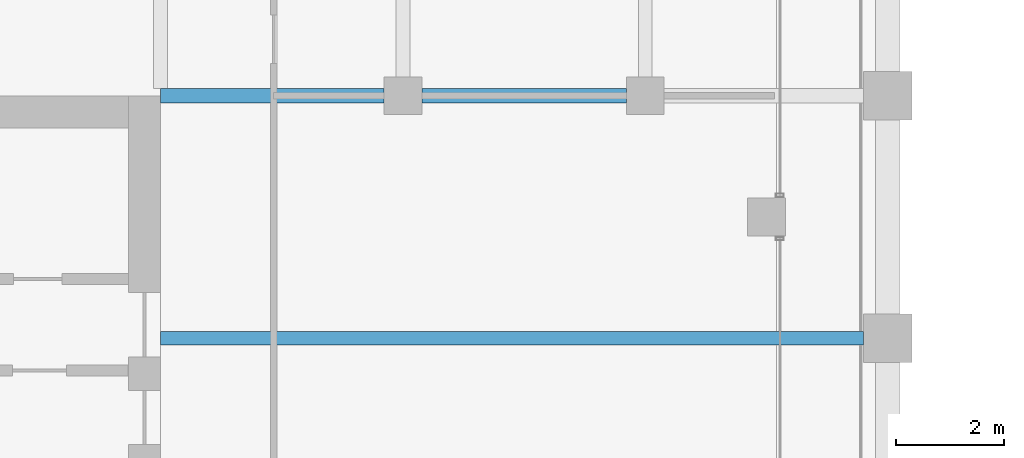
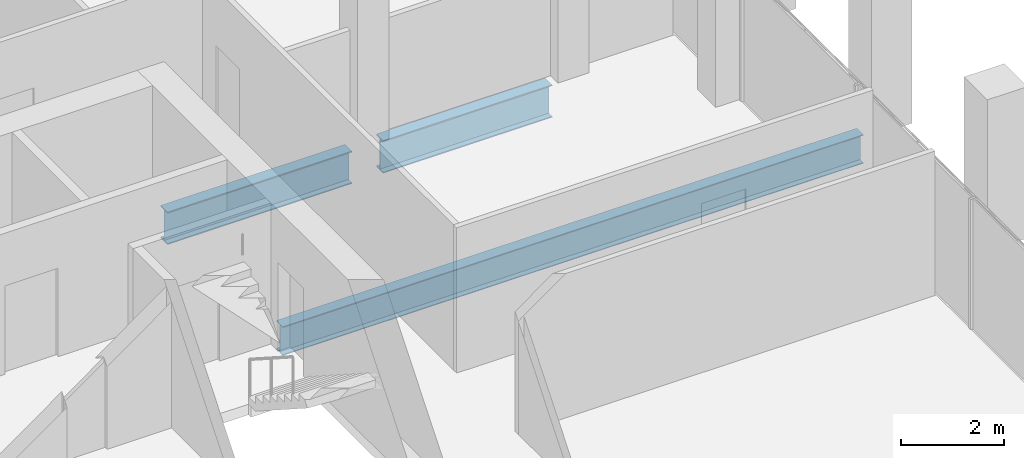
# One storey, part 18 of 40: 3 beams.
"""IFC4 building model written with IfcOpenShell, lengths in metres."""

from ifc_helpers import new_model, si_unit, direction, frame, origin, origin_2d, place, context, subcontext, project, spatial, i_section, extrude, material, material_profile, profile_set, type_object, element, save


model = new_model("IFC4")

# Units and contexts
model_context = context("Model", 3, precision=1e-05, world=origin(), true_north=direction((0.0, 1.0)))
body_context = subcontext(model_context, "Body", "Model", "MODEL_VIEW")
ifc_project = project(units=[si_unit("LENGTHUNIT", "METRE"), si_unit("AREAUNIT", "SQUARE_METRE"), si_unit("VOLUMEUNIT", "CUBIC_METRE"), si_unit("PLANEANGLEUNIT", "RADIAN"), si_unit("MASSUNIT", "GRAM", prefix="KILO")], contexts=[model_context])

# Site, building, storey
site_placement = place(None, origin())
site = spatial("IfcSite", under=ifc_project, at=site_placement, CompositionType="ELEMENT")
building_placement = place(site_placement, origin())
building = spatial("IfcBuilding", under=site, at=building_placement, Name="Altepetl Exchange Towers", CompositionType="ELEMENT")
storey_placement = place(building_placement, frame((0.0, 0.0, 165.39990234375)))
storey = spatial("IfcBuildingStorey", under=building, at=storey_placement, Name="L41", CompositionType="ELEMENT", Elevation=165.39990234375)

# Beams
ifc_material = material(Name="Steel S355", Category="steel")
ifc_material_profile_1 = material_profile(ifc_material, i_section(OverallWidth=0.25390625, OverallDepth=0.68408203125, WebThickness=0.012451171875, FlangeThickness=0.018798828125, at=origin_2d()), Name="W27X94")
ifc_profile_set_1 = profile_set([ifc_material_profile_1], Name="Steel S355")
beam_type_1 = type_object("IfcBeamType", Name="Floor beam W27X94", PredefinedType="BEAM", material=ifc_profile_set_1)
beam_1_placement = place(storey_placement, frame((58.5, 54.0, -0.491943359375), z_axis=(1.0, 0.0, 0.0), x_axis=(0.0, 1.0, 0.0)))
element("IfcBeam", 1, at=beam_1_placement, inside=storey, type_object=beam_type_1, Name="bm:A:L41:011", PredefinedType="BEAM", context=body_context, shape_type="SweptSolid", body=[
    extrude(i_section(OverallWidth=0.25390625, OverallDepth=0.68408203125, WebThickness=0.012451171875, FlangeThickness=0.018798828125, at=origin_2d()), origin(), (0.0, 0.0, 1.0), 13.050048828125),
])
ifc_material_profile_2 = material_profile(ifc_material, i_section(OverallWidth=0.26806640625, OverallDepth=0.77392578125, WebThickness=0.015380859375, FlangeThickness=0.025390625, at=origin_2d()), Name="W30X132")
ifc_profile_set_2 = profile_set([ifc_material_profile_2], Name="Steel S355")
beam_type_2 = type_object("IfcBeamType", Name="Girder W30X132", PredefinedType="BEAM", material=ifc_profile_set_2)
beam_2_placement = place(storey_placement, frame((58.5, 58.5, -0.536865234375), z_axis=(1.0, 0.0, 0.0), x_axis=(0.0, 1.0, 0.0)))
element("IfcBeam", 2, at=beam_2_placement, inside=storey, type_object=beam_type_2, Name="gd:A:L41:000", PredefinedType="BEAM", context=body_context, shape_type="SweptSolid", body=[
    extrude(i_section(OverallWidth=0.26806640625, OverallDepth=0.77392578125, WebThickness=0.015380859375, FlangeThickness=0.025390625, at=origin_2d()), origin(), (0.0, 0.0, 1.0), 4.14990234375),
])
beam_3_placement = place(storey_placement, frame((63.35009765625, 58.5, -0.536865234375), z_axis=(1.0, 0.0, 0.0), x_axis=(0.0, 1.0, 0.0)))
element("IfcBeam", 3, at=beam_3_placement, inside=storey, type_object=beam_type_2, Name="gd:A:L41:001", PredefinedType="BEAM", context=body_context, shape_type="SweptSolid", body=[
    extrude(i_section(OverallWidth=0.26806640625, OverallDepth=0.77392578125, WebThickness=0.015380859375, FlangeThickness=0.025390625, at=origin_2d()), origin(), (0.0, 0.0, 1.0), 3.7998046875),
])

save(model, "model.ifc")
